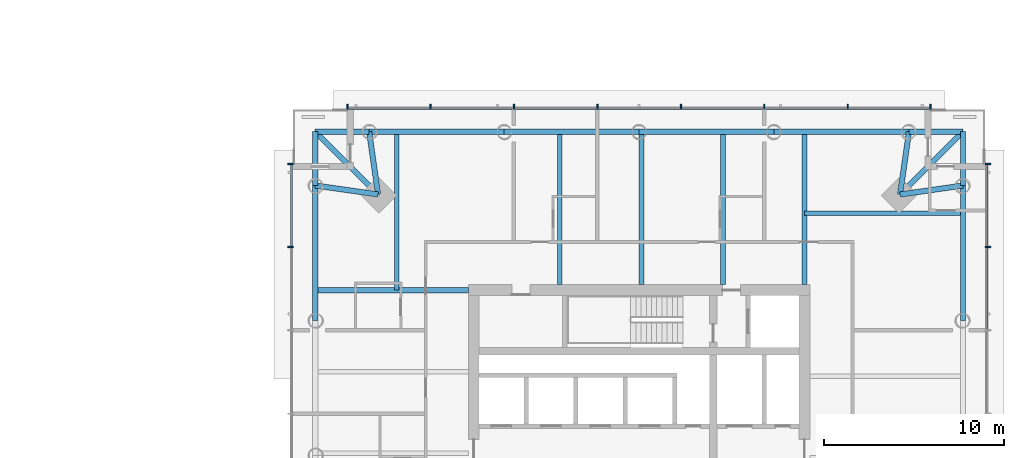
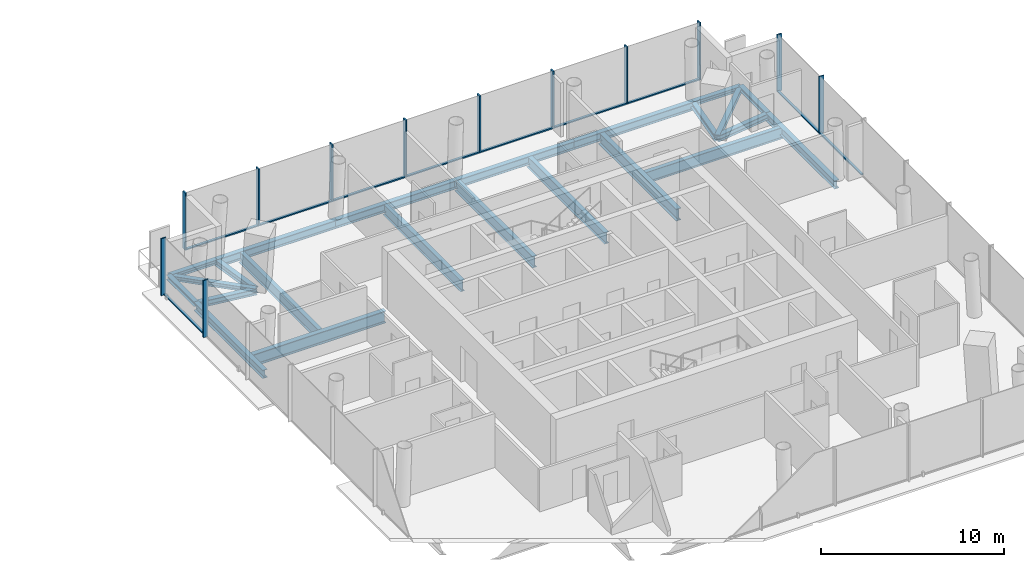
# One storey, part 6 of 21: 23 beams, 22 members, 3 elements without a shape of their own.
"""IFC4 building model written with IfcOpenShell, lengths in metres."""

from ifc_helpers import new_model, si_unit, direction, frame, origin, origin_2d, place, context, subcontext, project, spatial, rectangle, i_section, extrude, material, material_profile, profile_set, type_object, element, aggregate, save


model = new_model("IFC4")

# Units and contexts
model_context = context("Model", 3, precision=1e-05, world=origin(), true_north=direction((0.0, 1.0)))
body_context = subcontext(model_context, "Body", "Model", "MODEL_VIEW")
ifc_project = project(units=[si_unit("LENGTHUNIT", "METRE"), si_unit("AREAUNIT", "SQUARE_METRE"), si_unit("VOLUMEUNIT", "CUBIC_METRE"), si_unit("PLANEANGLEUNIT", "RADIAN"), si_unit("MASSUNIT", "GRAM", prefix="KILO")], contexts=[model_context])

# Site, building, storey
site_placement = place(None, origin())
site = spatial("IfcSite", under=ifc_project, at=site_placement, CompositionType="ELEMENT")
building_placement = place(site_placement, origin())
building = spatial("IfcBuilding", under=site, at=building_placement, Name="Ostroluk Exchange", CompositionType="ELEMENT")
storey_placement = place(building_placement, frame((0.0, 0.0, 43.800048828125)))
storey = spatial("IfcBuildingStorey", under=building, at=storey_placement, Name="L10", CompositionType="ELEMENT", Elevation=43.800048828125)

# Beams
ifc_material_1 = material(Name="Steel S355", Category="steel")
ifc_material_profile_1 = material_profile(ifc_material_1, i_section(OverallWidth=0.300048828125, OverallDepth=0.300048828125, WebThickness=0.010986328125, FlangeThickness=0.01904296875, FilletRadius=0.027099609375, at=origin_2d()), Name="HEB 300")
ifc_profile_set_1 = profile_set([ifc_material_profile_1], Name="Steel S355")
beam_type_1 = type_object("IfcBeamType", Name="Balcony beam HEB 300", PredefinedType="BEAM", material=ifc_profile_set_1)
for number, where, z_axis, x_axis, name in (
    (1, (135.017333984375, 61.017333984375, -0.35009765625), (0.0, 1.0, 0.0), (-1.0, 0.0, 0.0), "T2 east balcony beam a"),
    (2, (132.017333984375, 64.017333984375, -0.35009765625), (1.0, 0.0, 0.0), (0.0, 1.0, 0.0), "T2 east balcony beam b"),
):
    element("IfcBeam", number, at=place(storey_placement, frame(where, z_axis=z_axis, x_axis=x_axis)), inside=storey, type_object=beam_type_1, Name=name, PredefinedType="BEAM", context=body_context, shape_type="SweptSolid", body=[
        extrude(i_section(OverallWidth=0.300048828125, OverallDepth=0.300048828125, WebThickness=0.010986328125, FlangeThickness=0.01904296875, FilletRadius=0.027099609375, at=origin_2d()), origin(), (0.0, 0.0, 1.0), 3.0),
    ])
beam_1_placement = place(storey_placement, frame((131.517333984375, 60.517333984375, -0.35009765625), z_axis=(0.707106781187, 0.707106781187, 0.0), x_axis=(-0.707106781187, 0.707106781187, 0.0)))
element("IfcBeam", 3, at=beam_1_placement, inside=storey, type_object=beam_type_1, Name="T2 east balcony beam c", PredefinedType="BEAM", context=body_context, shape_type="SweptSolid", body=[
    extrude(i_section(OverallWidth=0.300048828125, OverallDepth=0.300048828125, WebThickness=0.010986328125, FlangeThickness=0.01904296875, FilletRadius=0.027099609375, at=origin_2d()), origin(), (0.0, 0.0, 1.0), 4.94970703125),
])
for number, where, z_axis, x_axis, name in (
    (4, (101.982666015625, 64.017333984375, -0.35009765625), (-1.0, 0.0, 0.0), (0.0, -1.0, 0.0), "T2 north balcony beam a"),
    (5, (98.982666015625, 61.017333984375, -0.35009765625), (0.0, 1.0, 0.0), (-1.0, 0.0, 0.0), "T2 north balcony beam b"),
):
    element("IfcBeam", number, at=place(storey_placement, frame(where, z_axis=z_axis, x_axis=x_axis)), inside=storey, type_object=beam_type_1, Name=name, PredefinedType="BEAM", context=body_context, shape_type="SweptSolid", body=[
        extrude(i_section(OverallWidth=0.300048828125, OverallDepth=0.300048828125, WebThickness=0.010986328125, FlangeThickness=0.01904296875, FilletRadius=0.027099609375, at=origin_2d()), origin(), (0.0, 0.0, 1.0), 3.0),
    ])
beam_2_placement = place(storey_placement, frame((102.482666015625, 60.517333984375, -0.35009765625), z_axis=(-0.707106781187, 0.707106781187, 0.0), x_axis=(-0.707106781187, -0.707106781187, 0.0)))
element("IfcBeam", 6, at=beam_2_placement, inside=storey, type_object=beam_type_1, Name="T2 north balcony beam c", PredefinedType="BEAM", context=body_context, shape_type="SweptSolid", body=[
    extrude(i_section(OverallWidth=0.300048828125, OverallDepth=0.300048828125, WebThickness=0.010986328125, FlangeThickness=0.01904296875, FilletRadius=0.027099609375, at=origin_2d()), origin(), (0.0, 0.0, 1.0), 4.94970703125),
])
ifc_material_2 = material(Name="Steel S355", Category="steel")
ifc_material_profile_2 = material_profile(ifc_material_2, i_section(OverallWidth=0.300048828125, OverallDepth=0.39990234375, WebThickness=0.013427734375, FlangeThickness=0.02392578125, FilletRadius=0.027099609375, at=origin_2d()), Name="HEB 400")
ifc_profile_set_2 = profile_set([ifc_material_profile_2], Name="Steel S355")
beam_type_2 = type_object("IfcBeamType", Name="Corner edge beam HEB 400", PredefinedType="SPANDREL", material=ifc_profile_set_2)
for number, where, z_axis, x_axis, name in (
    (7, (131.517333984375, 60.517333984375, -0.400146484375), (0.989949493661, 0.141421356237, 0.0), (-0.141421356237, 0.989949493661, 0.0), "T2 east corner edge beam a"),
    (8, (131.517333984375, 60.517333984375, -0.400146484375), (0.141421356237, 0.989949493661, 0.0), (-0.989949493661, 0.141421356237, 0.0), "T2 east corner edge beam b"),
    (9, (102.482666015625, 60.517333984375, -0.400146484375), (-0.141421356237, 0.989949493661, 0.0), (-0.989949493661, -0.141421356237, 0.0), "T2 north corner edge beam a"),
    (10, (102.482666015625, 60.517333984375, -0.400146484375), (-0.989949493661, 0.141421356237, 0.0), (-0.141421356237, -0.989949493661, 0.0), "T2 north corner edge beam b"),
):
    element("IfcBeam", number, at=place(storey_placement, frame(where, z_axis=z_axis, x_axis=x_axis)), inside=storey, type_object=beam_type_2, Name=name, PredefinedType="SPANDREL", context=body_context, shape_type="SweptSolid", body=[
        extrude(i_section(OverallWidth=0.300048828125, OverallDepth=0.39990234375, WebThickness=0.013427734375, FlangeThickness=0.02392578125, FilletRadius=0.027099609375, at=origin_2d()), origin(), (0.0, 0.0, 1.0), 3.53564453125),
    ])
ifc_material_3 = material(Name="Steel S355", Category="steel")
ifc_material_profile_3 = material_profile(ifc_material_3, i_section(OverallWidth=0.264892578125, OverallDepth=0.7529296875, WebThickness=0.01318359375, FlangeThickness=0.01708984375, FilletRadius=0.01708984375, at=origin_2d()), Name="IPE 750x147")
ifc_profile_set_3 = profile_set([ifc_material_profile_3], Name="Steel S355")
beam_type_3 = type_object("IfcBeamType", Name="Floor beam IPE 750x147", PredefinedType="BEAM", material=ifc_profile_set_3)
beam_3_placement = place(storey_placement, frame((126.199951171875, 59.48095703125, -0.57666015625), z_axis=(1.0, 0.0, 0.0), x_axis=(0.0, 1.0, 0.0)))
element("IfcBeam", 11, at=beam_3_placement, inside=storey, type_object=beam_type_3, Name="T2 east floor beam 5", PredefinedType="BEAM", context=body_context, shape_type="SweptSolid", body=[
    extrude(i_section(OverallWidth=0.264892578125, OverallDepth=0.7529296875, WebThickness=0.01318359375, FlangeThickness=0.01708984375, FilletRadius=0.01708984375, at=origin_2d()), origin(), (0.0, 0.0, 1.0), 8.8173828125),
])
for number, where, z_axis, x_axis, name in (
    (12, (121.663818359375, 55.5, -0.57666015625), (0.0, 1.0, 0.0), (-1.0, 0.0, 0.0), "T2 north floor beam 1"),
    (13, (117.127685546875, 55.5, -0.57666015625), (0.0, 1.0, 0.0), (-1.0, 0.0, 0.0), "T2 north floor beam 2"),
    (14, (112.59130859375, 55.5, -0.57666015625), (0.0, 1.0, 0.0), (-1.0, 0.0, 0.0), "T2 north floor beam 3"),
):
    element("IfcBeam", number, at=place(storey_placement, frame(where, z_axis=z_axis, x_axis=x_axis)), inside=storey, type_object=beam_type_3, Name=name, PredefinedType="BEAM", context=body_context, shape_type="SweptSolid", body=[
        extrude(i_section(OverallWidth=0.264892578125, OverallDepth=0.7529296875, WebThickness=0.01318359375, FlangeThickness=0.01708984375, FilletRadius=0.01708984375, at=origin_2d()), origin(), (0.0, 0.0, 1.0), 8.517333984375),
    ])
beam_4_placement = place(storey_placement, frame((103.51904296875, 55.199951171875, -0.57666015625), z_axis=(0.0, 1.0, 0.0), x_axis=(-1.0, 0.0, 0.0)))
element("IfcBeam", 15, at=beam_4_placement, inside=storey, type_object=beam_type_3, Name="T2 north floor beam 5", PredefinedType="BEAM", context=body_context, shape_type="SweptSolid", body=[
    extrude(i_section(OverallWidth=0.264892578125, OverallDepth=0.7529296875, WebThickness=0.01318359375, FlangeThickness=0.01708984375, FilletRadius=0.01708984375, at=origin_2d()), origin(), (0.0, 0.0, 1.0), 8.8173828125),
])
ifc_material_4 = material(Name="Steel S355", Category="steel")
ifc_material_profile_4 = material_profile(ifc_material_4, i_section(OverallWidth=0.300048828125, OverallDepth=0.800048828125, WebThickness=0.017578125, FlangeThickness=0.032958984375, FilletRadius=0.030029296875, at=origin_2d()), Name="HEB 800")
ifc_profile_set_4 = profile_set([ifc_material_profile_4], Name="Steel S355")
beam_type_4 = type_object("IfcBeamType", Name="Girder HEB 800", PredefinedType="BEAM", material=ifc_profile_set_4)
for number, where, z_axis, x_axis, name in (
    (16, (126.199951171875, 55.5, -0.60009765625), (0.0, 1.0, 0.0), (-1.0, 0.0, 0.0), "T2 east girder"),
    (17, (107.5, 55.199951171875, -0.60009765625), (-1.0, 0.0, 0.0), (0.0, -1.0, 0.0), "T2 north girder"),
):
    element("IfcBeam", number, at=place(storey_placement, frame(where, z_axis=z_axis, x_axis=x_axis)), inside=storey, type_object=beam_type_4, Name=name, PredefinedType="BEAM", context=body_context, shape_type="SweptSolid", body=[
        extrude(i_section(OverallWidth=0.300048828125, OverallDepth=0.800048828125, WebThickness=0.017578125, FlangeThickness=0.032958984375, FilletRadius=0.030029296875, at=origin_2d()), origin(), (0.0, 0.0, 1.0), 8.517333984375),
    ])
ifc_material_5 = material(Name="Steel S355", Category="steel")
ifc_material_profile_5 = material_profile(ifc_material_5, i_section(OverallWidth=0.300048828125, OverallDepth=0.550048828125, WebThickness=0.014892578125, FlangeThickness=0.029052734375, FilletRadius=0.027099609375, at=origin_2d()), Name="HEB 550")
ifc_profile_set_5 = profile_set([ifc_material_profile_5], Name="Steel S355")
beam_type_5 = type_object("IfcBeamType", Name="Moment-connected edge beam HEB 550", PredefinedType="SPANDREL", material=ifc_profile_set_5)
for number, where, z_axis, x_axis, name in (
    (18, (135.017333984375, 53.508544921875, -0.47509765625), (0.0, 1.0, 0.0), (-1.0, 0.0, 0.0), "T2 east edge beam 4"),
    (19, (132.017333984375, 64.017333984375, -0.47509765625), (-1.0, 0.0, 0.0), (0.0, -1.0, 0.0), "T2 north edge beam 1"),
):
    element("IfcBeam", number, at=place(storey_placement, frame(where, z_axis=z_axis, x_axis=x_axis)), inside=storey, type_object=beam_type_5, Name=name, PredefinedType="SPANDREL", context=body_context, shape_type="SweptSolid", body=[
        extrude(i_section(OverallWidth=0.300048828125, OverallDepth=0.550048828125, WebThickness=0.014892578125, FlangeThickness=0.029052734375, FilletRadius=0.027099609375, at=origin_2d()), origin(), (0.0, 0.0, 1.0), 7.5087890625),
    ])
for number, where, z_axis, x_axis, name in (
    (20, (124.508544921875, 64.017333984375, -0.47509765625), (-1.0, 0.0, 0.0), (0.0, -1.0, 0.0), "T2 north edge beam 2"),
    (21, (117.0, 64.017333984375, -0.47509765625), (-1.0, 0.0, 0.0), (0.0, -1.0, 0.0), "T2 north edge beam 3"),
):
    element("IfcBeam", number, at=place(storey_placement, frame(where, z_axis=z_axis, x_axis=x_axis)), inside=storey, type_object=beam_type_5, Name=name, PredefinedType="SPANDREL", context=body_context, shape_type="SweptSolid", body=[
        extrude(i_section(OverallWidth=0.300048828125, OverallDepth=0.550048828125, WebThickness=0.014892578125, FlangeThickness=0.029052734375, FilletRadius=0.027099609375, at=origin_2d()), origin(), (0.0, 0.0, 1.0), 7.508544921875),
    ])
for number, where, z_axis, x_axis, name in (
    (22, (109.491455078125, 64.017333984375, -0.47509765625), (-1.0, 0.0, 0.0), (0.0, -1.0, 0.0), "T2 north edge beam 4"),
    (23, (98.982666015625, 61.017333984375, -0.47509765625), (0.0, -1.0, 0.0), (1.0, 0.0, 0.0), "T2 west edge beam 1"),
):
    element("IfcBeam", number, at=place(storey_placement, frame(where, z_axis=z_axis, x_axis=x_axis)), inside=storey, type_object=beam_type_5, Name=name, PredefinedType="SPANDREL", context=body_context, shape_type="SweptSolid", body=[
        extrude(i_section(OverallWidth=0.300048828125, OverallDepth=0.550048828125, WebThickness=0.014892578125, FlangeThickness=0.029052734375, FilletRadius=0.027099609375, at=origin_2d()), origin(), (0.0, 0.0, 1.0), 7.5087890625),
    ])

# Curtain wall, members
ifc_material_6 = material(Name="Laminated clear glass", Category="glass")
curtain_wall_type = type_object("IfcCurtainWallType", Name="Hotel guest floor facade", PredefinedType="USERDEFINED", material=ifc_material_6)
curtain_wall_1_placement = place(storey_placement, origin())
curtain_wall_1 = element("IfcCurtainWall", 24, at=curtain_wall_1_placement, inside=storey, type_object=curtain_wall_type, Name="Hotel tower east facade L10", ObjectType="UNITISED CURTAIN WALL", PredefinedType="USERDEFINED")
ifc_material_7 = material(Name="Aluminium mullion", Category="aluminium")
ifc_material_profile_6 = material_profile(ifc_material_7, rectangle(XDim=0.14990234375, YDim=0.080078125, at=origin_2d()), Name="Sill transom 80 x 150")
ifc_profile_set_6 = profile_set([ifc_material_profile_6], Name="Aluminium mullion")
member_type_1 = type_object("IfcMemberType", Name="Sill transom 80 x 150", PredefinedType="USERDEFINED", material=ifc_profile_set_6)
member_1_placement = place(storey_placement, frame((136.324951171875, 53.00439453125, 0.0400390625), z_axis=(0.0, 1.0, 0.0), x_axis=(-1.0, 0.0, 0.0)))
member_1 = element("IfcMember", 25, at=member_1_placement, type_object=member_type_1, Name="CW-H1 transom 6.1", ObjectType="TRANSOM", PredefinedType="USERDEFINED", context=body_context, shape_type="SweptSolid", body=[
    extrude(rectangle(XDim=0.14990234375, YDim=0.080078125, at=origin_2d()), origin(), (0.0, 0.0, 1.0), 4.562744140625),
])
member_2_placement = place(storey_placement, frame((136.324951171875, 57.647216796875, 0.0400390625), z_axis=(0.0, 1.0, 0.0), x_axis=(-1.0, 0.0, 0.0)))
member_2 = element("IfcMember", 26, at=member_2_placement, type_object=member_type_1, Name="CW-H1 transom 7.1", ObjectType="TRANSOM", PredefinedType="USERDEFINED", context=body_context, shape_type="SweptSolid", body=[
    extrude(rectangle(XDim=0.14990234375, YDim=0.080078125, at=origin_2d()), origin(), (0.0, 0.0, 1.0), 4.522705078125),
])

curtain_wall_2_placement = place(storey_placement, origin())
curtain_wall_2 = element("IfcCurtainWall", 27, at=curtain_wall_2_placement, inside=storey, type_object=curtain_wall_type, Name="Hotel tower north facade L10", ObjectType="UNITISED CURTAIN WALL", PredefinedType="USERDEFINED")
member_3_placement = place(storey_placement, frame((133.169921875, 65.324951171875, 0.0400390625), z_axis=(-1.0, 0.0, 0.0), x_axis=(0.0, -1.0, 0.0)))
member_3 = element("IfcMember", 28, at=member_3_placement, type_object=member_type_1, Name="CW-H1 transom 1.1", ObjectType="TRANSOM", PredefinedType="USERDEFINED", context=body_context, shape_type="SweptSolid", body=[
    extrude(rectangle(XDim=0.14990234375, YDim=0.080078125, at=origin_2d()), origin(), (0.0, 0.0, 1.0), 4.522705078125),
])
member_4_placement = place(storey_placement, frame((128.567138671875, 65.324951171875, 0.0400390625), z_axis=(-1.0, 0.0, 0.0), x_axis=(0.0, -1.0, 0.0)))
member_4 = element("IfcMember", 29, at=member_4_placement, type_object=member_type_1, Name="CW-H1 transom 2.1", ObjectType="TRANSOM", PredefinedType="USERDEFINED", context=body_context, shape_type="SweptSolid", body=[
    extrude(rectangle(XDim=0.14990234375, YDim=0.080078125, at=origin_2d()), origin(), (0.0, 0.0, 1.0), 4.562744140625),
])
member_5_placement = place(storey_placement, frame((123.92431640625, 65.324951171875, 0.0400390625), z_axis=(-1.0, 0.0, 0.0), x_axis=(0.0, -1.0, 0.0)))
member_5 = element("IfcMember", 30, at=member_5_placement, type_object=member_type_1, Name="CW-H1 transom 3.1", ObjectType="TRANSOM", PredefinedType="USERDEFINED", context=body_context, shape_type="SweptSolid", body=[
    extrude(rectangle(XDim=0.14990234375, YDim=0.080078125, at=origin_2d()), origin(), (0.0, 0.0, 1.0), 4.56298828125),
])
member_6_placement = place(storey_placement, frame((119.281494140625, 65.324951171875, 0.0400390625), z_axis=(-1.0, 0.0, 0.0), x_axis=(0.0, -1.0, 0.0)))
member_6 = element("IfcMember", 31, at=member_6_placement, type_object=member_type_1, Name="CW-H1 transom 4.1", ObjectType="TRANSOM", PredefinedType="USERDEFINED", context=body_context, shape_type="SweptSolid", body=[
    extrude(rectangle(XDim=0.14990234375, YDim=0.080078125, at=origin_2d()), origin(), (0.0, 0.0, 1.0), 4.56298828125),
])
member_7_placement = place(storey_placement, frame((114.638671875, 65.324951171875, 0.0400390625), z_axis=(-1.0, 0.0, 0.0), x_axis=(0.0, -1.0, 0.0)))
member_7 = element("IfcMember", 32, at=member_7_placement, type_object=member_type_1, Name="CW-H1 transom 5.1", ObjectType="TRANSOM", PredefinedType="USERDEFINED", context=body_context, shape_type="SweptSolid", body=[
    extrude(rectangle(XDim=0.14990234375, YDim=0.080078125, at=origin_2d()), origin(), (0.0, 0.0, 1.0), 4.56298828125),
])
member_8_placement = place(storey_placement, frame((109.99560546875, 65.324951171875, 0.0400390625), z_axis=(-1.0, 0.0, 0.0), x_axis=(0.0, -1.0, 0.0)))
member_8 = element("IfcMember", 33, at=member_8_placement, type_object=member_type_1, Name="CW-H1 transom 6.1", ObjectType="TRANSOM", PredefinedType="USERDEFINED", context=body_context, shape_type="SweptSolid", body=[
    extrude(rectangle(XDim=0.14990234375, YDim=0.080078125, at=origin_2d()), origin(), (0.0, 0.0, 1.0), 4.562744140625),
])
member_9_placement = place(storey_placement, frame((105.352783203125, 65.324951171875, 0.0400390625), z_axis=(-1.0, 0.0, 0.0), x_axis=(0.0, -1.0, 0.0)))
member_9 = element("IfcMember", 34, at=member_9_placement, type_object=member_type_1, Name="CW-H1 transom 7.1", ObjectType="TRANSOM", PredefinedType="USERDEFINED", context=body_context, shape_type="SweptSolid", body=[
    extrude(rectangle(XDim=0.14990234375, YDim=0.080078125, at=origin_2d()), origin(), (0.0, 0.0, 1.0), 4.522705078125),
])

# Curtain wall, member
curtain_wall_3_placement = place(storey_placement, origin())
curtain_wall_3 = element("IfcCurtainWall", 35, at=curtain_wall_3_placement, inside=storey, type_object=curtain_wall_type, Name="Hotel tower west facade L10", ObjectType="UNITISED CURTAIN WALL", PredefinedType="USERDEFINED")
member_10_placement = place(storey_placement, frame((97.675048828125, 62.169921875, 0.0400390625), z_axis=(0.0, -1.0, 0.0), x_axis=(1.0, 0.0, 0.0)))
member_10 = element("IfcMember", 36, at=member_10_placement, type_object=member_type_1, Name="CW-H1 transom 1.1", ObjectType="TRANSOM", PredefinedType="USERDEFINED", context=body_context, shape_type="SweptSolid", body=[
    extrude(rectangle(XDim=0.14990234375, YDim=0.080078125, at=origin_2d()), origin(), (0.0, 0.0, 1.0), 4.522705078125),
])

# Member
ifc_material_8 = material(Name="Aluminium mullion with limestone facing", Category="masonry")
ifc_material_profile_7 = material_profile(ifc_material_8, rectangle(XDim=0.300048828125, YDim=0.080078125, at=origin_2d()), Name="Tracery mullion 80 x 300")
ifc_profile_set_7 = profile_set([ifc_material_profile_7], Name="Aluminium mullion with limestone facing")
member_type_2 = type_object("IfcMemberType", Name="Tracery mullion 80 x 300", PredefinedType="MULLION", material=ifc_profile_set_7)
member_11_placement = place(storey_placement, frame((136.39990234375, 57.607177734375, 0.0), z_axis=(0.0, 0.0, 1.0), x_axis=(-1.0, 0.0, 0.0)))
member_11 = element("IfcMember", 37, at=member_11_placement, type_object=member_type_2, Name="CW-H1 mullion 7", PredefinedType="MULLION", context=body_context, shape_type="SweptSolid", body=[
    extrude(rectangle(XDim=0.300048828125, YDim=0.080078125, at=origin_2d()), origin(), (0.0, 0.0, 1.0), 3.800048828125),
])

member_12_placement = place(storey_placement, frame((136.39990234375, 62.2099609375, 0.0), z_axis=(0.0, 0.0, 1.0), x_axis=(-1.0, 0.0, 0.0)))
member_12 = element("IfcMember", 38, at=member_12_placement, type_object=member_type_2, Name="CW-H1 mullion 8", PredefinedType="MULLION", context=body_context, shape_type="SweptSolid", body=[
    extrude(rectangle(XDim=0.300048828125, YDim=0.080078125, at=origin_2d()), origin(), (0.0, 0.0, 1.0), 3.800048828125),
])

aggregate(curtain_wall_1, [member_11, member_12, member_1, member_2])

member_13_placement = place(storey_placement, frame((133.2099609375, 65.39990234375, 0.0), z_axis=(0.0, 0.0, 1.0), x_axis=(0.0, -1.0, 0.0)))
member_13 = element("IfcMember", 39, at=member_13_placement, type_object=member_type_2, Name="CW-H1 mullion 1", PredefinedType="MULLION", context=body_context, shape_type="SweptSolid", body=[
    extrude(rectangle(XDim=0.300048828125, YDim=0.080078125, at=origin_2d()), origin(), (0.0, 0.0, 1.0), 3.800048828125),
])

member_14_placement = place(storey_placement, frame((128.607177734375, 65.39990234375, 0.0), z_axis=(0.0, 0.0, 1.0), x_axis=(0.0, -1.0, 0.0)))
member_14 = element("IfcMember", 40, at=member_14_placement, type_object=member_type_2, Name="CW-H1 mullion 2", PredefinedType="MULLION", context=body_context, shape_type="SweptSolid", body=[
    extrude(rectangle(XDim=0.300048828125, YDim=0.080078125, at=origin_2d()), origin(), (0.0, 0.0, 1.0), 3.800048828125),
])

member_15_placement = place(storey_placement, frame((123.96435546875, 65.39990234375, 0.0), z_axis=(0.0, 0.0, 1.0), x_axis=(0.0, -1.0, 0.0)))
member_15 = element("IfcMember", 41, at=member_15_placement, type_object=member_type_2, Name="CW-H1 mullion 3", PredefinedType="MULLION", context=body_context, shape_type="SweptSolid", body=[
    extrude(rectangle(XDim=0.300048828125, YDim=0.080078125, at=origin_2d()), origin(), (0.0, 0.0, 1.0), 3.800048828125),
])

member_16_placement = place(storey_placement, frame((119.321533203125, 65.39990234375, 0.0), z_axis=(0.0, 0.0, 1.0), x_axis=(0.0, -1.0, 0.0)))
member_16 = element("IfcMember", 42, at=member_16_placement, type_object=member_type_2, Name="CW-H1 mullion 4", PredefinedType="MULLION", context=body_context, shape_type="SweptSolid", body=[
    extrude(rectangle(XDim=0.300048828125, YDim=0.080078125, at=origin_2d()), origin(), (0.0, 0.0, 1.0), 3.800048828125),
])

member_17_placement = place(storey_placement, frame((114.678466796875, 65.39990234375, 0.0), z_axis=(0.0, 0.0, 1.0), x_axis=(0.0, -1.0, 0.0)))
member_17 = element("IfcMember", 43, at=member_17_placement, type_object=member_type_2, Name="CW-H1 mullion 5", PredefinedType="MULLION", context=body_context, shape_type="SweptSolid", body=[
    extrude(rectangle(XDim=0.300048828125, YDim=0.080078125, at=origin_2d()), origin(), (0.0, 0.0, 1.0), 3.800048828125),
])

member_18_placement = place(storey_placement, frame((110.03564453125, 65.39990234375, 0.0), z_axis=(0.0, 0.0, 1.0), x_axis=(0.0, -1.0, 0.0)))
member_18 = element("IfcMember", 44, at=member_18_placement, type_object=member_type_2, Name="CW-H1 mullion 6", PredefinedType="MULLION", context=body_context, shape_type="SweptSolid", body=[
    extrude(rectangle(XDim=0.300048828125, YDim=0.080078125, at=origin_2d()), origin(), (0.0, 0.0, 1.0), 3.800048828125),
])

member_19_placement = place(storey_placement, frame((105.392822265625, 65.39990234375, 0.0), z_axis=(0.0, 0.0, 1.0), x_axis=(0.0, -1.0, 0.0)))
member_19 = element("IfcMember", 45, at=member_19_placement, type_object=member_type_2, Name="CW-H1 mullion 7", PredefinedType="MULLION", context=body_context, shape_type="SweptSolid", body=[
    extrude(rectangle(XDim=0.300048828125, YDim=0.080078125, at=origin_2d()), origin(), (0.0, 0.0, 1.0), 3.800048828125),
])

member_20_placement = place(storey_placement, frame((100.7900390625, 65.39990234375, 0.0), z_axis=(0.0, 0.0, 1.0), x_axis=(0.0, -1.0, 0.0)))
member_20 = element("IfcMember", 46, at=member_20_placement, type_object=member_type_2, Name="CW-H1 mullion 8", PredefinedType="MULLION", context=body_context, shape_type="SweptSolid", body=[
    extrude(rectangle(XDim=0.300048828125, YDim=0.080078125, at=origin_2d()), origin(), (0.0, 0.0, 1.0), 3.800048828125),
])

aggregate(curtain_wall_2, [member_13, member_14, member_15, member_16, member_17, member_18, member_19, member_20, member_3, member_4, member_5, member_6, member_7, member_8, member_9])

member_21_placement = place(storey_placement, frame((97.60009765625, 62.2099609375, 0.0), z_axis=(0.0, 0.0, 1.0), x_axis=(1.0, 0.0, 0.0)))
member_21 = element("IfcMember", 47, at=member_21_placement, type_object=member_type_2, Name="CW-H1 mullion 1", PredefinedType="MULLION", context=body_context, shape_type="SweptSolid", body=[
    extrude(rectangle(XDim=0.300048828125, YDim=0.080078125, at=origin_2d()), origin(), (0.0, 0.0, 1.0), 3.800048828125),
])

member_22_placement = place(storey_placement, frame((97.60009765625, 57.607177734375, 0.0), z_axis=(0.0, 0.0, 1.0), x_axis=(1.0, 0.0, 0.0)))
member_22 = element("IfcMember", 48, at=member_22_placement, type_object=member_type_2, Name="CW-H1 mullion 2", PredefinedType="MULLION", context=body_context, shape_type="SweptSolid", body=[
    extrude(rectangle(XDim=0.300048828125, YDim=0.080078125, at=origin_2d()), origin(), (0.0, 0.0, 1.0), 3.800048828125),
])

aggregate(curtain_wall_3, [member_21, member_22, member_10])

save(model, "model.ifc")
